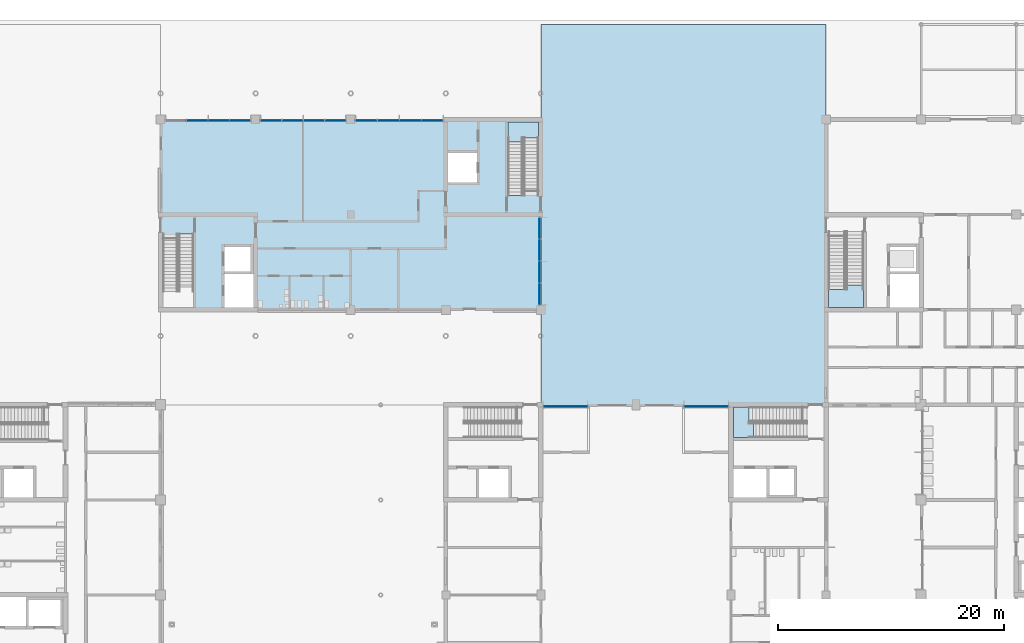
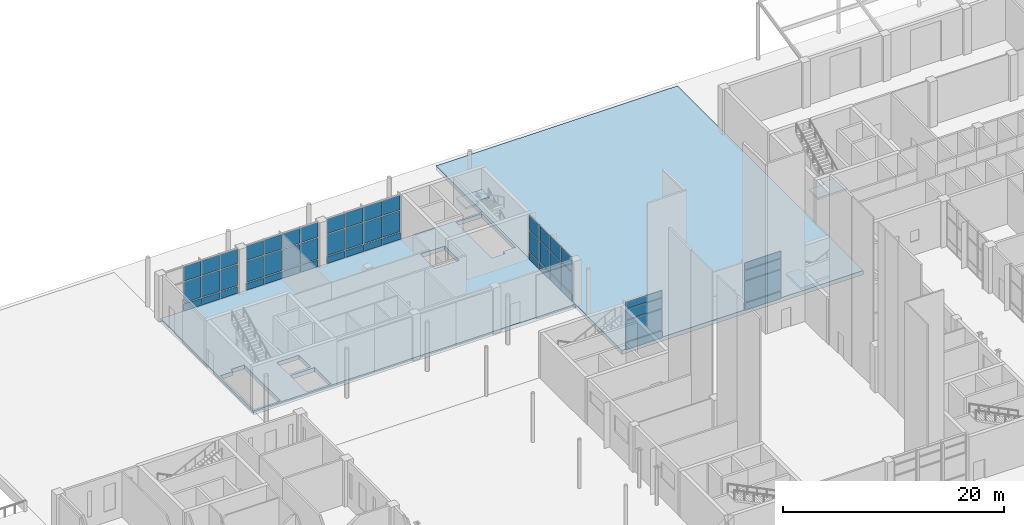
# One storey, part 29 of 76: 53 plates, 5 slabs, 9 elements without a shape of their own.
"""IFC4 building model written with IfcOpenShell, lengths in metres."""

from ifc_helpers import new_model, si_unit, direction, frame, origin, origin_2d, place, context, subcontext, project, spatial, polyline, rectangle, outline, extrude, material, layer, layer_set, type_object, element, aggregate, save


model = new_model("IFC4")

# Units and contexts
model_context = context("Model", 3, precision=1e-05, world=origin(), true_north=direction((0.0, 1.0)))
body_context = subcontext(model_context, "Body", "Model", "MODEL_VIEW")
ifc_project = project(units=[si_unit("LENGTHUNIT", "METRE"), si_unit("AREAUNIT", "SQUARE_METRE"), si_unit("VOLUMEUNIT", "CUBIC_METRE"), si_unit("PLANEANGLEUNIT", "RADIAN"), si_unit("MASSUNIT", "GRAM", prefix="KILO")], contexts=[model_context])

# Site, building, storey
site_placement = place(None, origin())
site = spatial("IfcSite", under=ifc_project, at=site_placement, CompositionType="ELEMENT")
building_placement = place(site_placement, origin())
building = spatial("IfcBuilding", under=site, at=building_placement, Name="Hlaing Beacon Police Headquarters", CompositionType="ELEMENT")
storey_placement = place(building_placement, origin())
storey = spatial("IfcBuildingStorey", under=building, at=storey_placement, Name="L00", CompositionType="ELEMENT", Elevation=0.0)

# Curtain wall, plates
ifc_material_1 = material(Name="Aluminium frame with solar control glazing", Category="aluminium")
curtain_wall_type_1 = type_object("IfcCurtainWallType", Name="Unitised curtain wall 7.80 x 5.05", PredefinedType="NOTDEFINED", material=ifc_material_1)
curtain_wall_1_placement = place(storey_placement, origin())
curtain_wall_1 = element("IfcCurtainWall", 1, at=curtain_wall_1_placement, inside=storey, type_object=curtain_wall_type_1, Name="ENV-CW-L00-N023", PredefinedType="NOTDEFINED")
ifc_material_2 = material(Name="Solar control glazing", Category="glass")
ifc_layer_1 = layer(ifc_material_2, 0.031982421875)
ifc_layer_set_1 = layer_set([ifc_layer_1], Name="Solar control glazing")
plate_type_1 = type_object("IfcPlateType", Name="Clear glazing panel 32", PredefinedType="CURTAIN_PANEL", material=ifc_layer_set_1)
plate_1_placement = place(storey_placement, frame((57.610107421875, 92.300048828125, 3.349853515625), z_axis=(0.0, 0.0, 1.0), x_axis=(-1.0, 0.0, 0.0)))
plate_1 = element("IfcPlate", 2, at=plate_1_placement, type_object=plate_type_1, Name="CW-L00-N023 panel 1.3", PredefinedType="CURTAIN_PANEL", context=body_context, shape_type="SweptSolid", body=[
    extrude(rectangle(XDim=1.860107421875, YDim=0.031982421875, at=origin_2d()), origin(), (0.0, 0.0, 1.0), 1.60009765625),
])
plate_2_placement = place(storey_placement, frame((55.675048828125, 92.300048828125, 3.349853515625), z_axis=(0.0, 0.0, 1.0), x_axis=(-1.0, 0.0, 0.0)))
plate_2 = element("IfcPlate", 3, at=plate_2_placement, type_object=plate_type_1, Name="CW-L00-N023 panel 2.3", PredefinedType="CURTAIN_PANEL", context=body_context, shape_type="SweptSolid", body=[
    extrude(rectangle(XDim=1.889892578125, YDim=0.031982421875, at=origin_2d()), origin(), (0.0, 0.0, 1.0), 1.60009765625),
])
plate_3_placement = place(storey_placement, frame((53.72509765625, 92.300048828125, 3.349853515625), z_axis=(0.0, 0.0, 1.0), x_axis=(-1.0, 0.0, 0.0)))
plate_3 = element("IfcPlate", 4, at=plate_3_placement, type_object=plate_type_1, Name="CW-L00-N023 panel 3.3", PredefinedType="CURTAIN_PANEL", context=body_context, shape_type="SweptSolid", body=[
    extrude(rectangle(XDim=1.889892578125, YDim=0.031982421875, at=origin_2d()), origin(), (0.0, 0.0, 1.0), 1.60009765625),
])
plate_4_placement = place(storey_placement, frame((51.7900390625, 92.300048828125, 3.349853515625), z_axis=(0.0, 0.0, 1.0), x_axis=(-1.0, 0.0, 0.0)))
plate_4 = element("IfcPlate", 5, at=plate_4_placement, type_object=plate_type_1, Name="CW-L00-N023 panel 4.3", PredefinedType="CURTAIN_PANEL", context=body_context, shape_type="SweptSolid", body=[
    extrude(rectangle(XDim=1.860107421875, YDim=0.031982421875, at=origin_2d()), origin(), (0.0, 0.0, 1.0), 1.60009765625),
])

ifc_material_3 = material(Name="Aluminium frame with solar control glazing", Category="aluminium")
curtain_wall_type_2 = type_object("IfcCurtainWallType", Name="Unitised curtain wall 7.60 x 5.05", PredefinedType="NOTDEFINED", material=ifc_material_3)
curtain_wall_2_placement = place(storey_placement, origin())
curtain_wall_2 = element("IfcCurtainWall", 6, at=curtain_wall_2_placement, inside=storey, type_object=curtain_wall_type_2, Name="ENV-CW-L00-N024", PredefinedType="NOTDEFINED")
plate_5_placement = place(storey_placement, frame((49.034912109375, 92.300048828125, 3.349853515625), z_axis=(0.0, 0.0, 1.0), x_axis=(-1.0, 0.0, 0.0)))
plate_5 = element("IfcPlate", 7, at=plate_5_placement, type_object=plate_type_1, Name="CW-L00-N024 panel 1.3", PredefinedType="CURTAIN_PANEL", context=body_context, shape_type="SweptSolid", body=[
    extrude(rectangle(XDim=1.81005859375, YDim=0.031982421875, at=origin_2d()), origin(), (0.0, 0.0, 1.0), 1.60009765625),
])
plate_6_placement = place(storey_placement, frame((47.14990234375, 92.300048828125, 3.349853515625), z_axis=(0.0, 0.0, 1.0), x_axis=(-1.0, 0.0, 0.0)))
plate_6 = element("IfcPlate", 8, at=plate_6_placement, type_object=plate_type_1, Name="CW-L00-N024 panel 2.3", PredefinedType="CURTAIN_PANEL", context=body_context, shape_type="SweptSolid", body=[
    extrude(rectangle(XDim=1.840087890625, YDim=0.031982421875, at=origin_2d()), origin(), (0.0, 0.0, 1.0), 1.60009765625),
])
plate_7_placement = place(storey_placement, frame((45.25, 92.300048828125, 3.349853515625), z_axis=(0.0, 0.0, 1.0), x_axis=(-1.0, 0.0, 0.0)))
plate_7 = element("IfcPlate", 9, at=plate_7_placement, type_object=plate_type_1, Name="CW-L00-N024 panel 3.3", PredefinedType="CURTAIN_PANEL", context=body_context, shape_type="SweptSolid", body=[
    extrude(rectangle(XDim=1.840087890625, YDim=0.031982421875, at=origin_2d()), origin(), (0.0, 0.0, 1.0), 1.60009765625),
])
plate_8_placement = place(storey_placement, frame((43.364990234375, 92.300048828125, 3.349853515625), z_axis=(0.0, 0.0, 1.0), x_axis=(-1.0, 0.0, 0.0)))
plate_8 = element("IfcPlate", 10, at=plate_8_placement, type_object=plate_type_1, Name="CW-L00-N024 panel 4.3", PredefinedType="CURTAIN_PANEL", context=body_context, shape_type="SweptSolid", body=[
    extrude(rectangle(XDim=1.81005859375, YDim=0.031982421875, at=origin_2d()), origin(), (0.0, 0.0, 1.0), 1.60009765625),
])

curtain_wall_3_placement = place(storey_placement, origin())
curtain_wall_3 = element("IfcCurtainWall", 11, at=curtain_wall_3_placement, inside=storey, type_object=curtain_wall_type_2, Name="ENV-CW-L00-N025", PredefinedType="NOTDEFINED")
plate_9_placement = place(storey_placement, frame((40.635009765625, 92.300048828125, 3.349853515625), z_axis=(0.0, 0.0, 1.0), x_axis=(-1.0, 0.0, 0.0)))
plate_9 = element("IfcPlate", 12, at=plate_9_placement, type_object=plate_type_1, Name="CW-L00-N025 panel 1.3", PredefinedType="CURTAIN_PANEL", context=body_context, shape_type="SweptSolid", body=[
    extrude(rectangle(XDim=1.81005859375, YDim=0.031982421875, at=origin_2d()), origin(), (0.0, 0.0, 1.0), 1.60009765625),
])
plate_10_placement = place(storey_placement, frame((38.75, 92.300048828125, 3.349853515625), z_axis=(0.0, 0.0, 1.0), x_axis=(-1.0, 0.0, 0.0)))
plate_10 = element("IfcPlate", 13, at=plate_10_placement, type_object=plate_type_1, Name="CW-L00-N025 panel 2.3", PredefinedType="CURTAIN_PANEL", context=body_context, shape_type="SweptSolid", body=[
    extrude(rectangle(XDim=1.840087890625, YDim=0.031982421875, at=origin_2d()), origin(), (0.0, 0.0, 1.0), 1.60009765625),
])
plate_11_placement = place(storey_placement, frame((36.85009765625, 92.300048828125, 3.349853515625), z_axis=(0.0, 0.0, 1.0), x_axis=(-1.0, 0.0, 0.0)))
plate_11 = element("IfcPlate", 14, at=plate_11_placement, type_object=plate_type_1, Name="CW-L00-N025 panel 3.3", PredefinedType="CURTAIN_PANEL", context=body_context, shape_type="SweptSolid", body=[
    extrude(rectangle(XDim=1.840087890625, YDim=0.031982421875, at=origin_2d()), origin(), (0.0, 0.0, 1.0), 1.60009765625),
])

curtain_wall_4_placement = place(storey_placement, origin())
curtain_wall_4 = element("IfcCurtainWall", 15, at=curtain_wall_4_placement, inside=storey, type_object=curtain_wall_type_1, Name="ENV-CW-L00-E026", PredefinedType="NOTDEFINED")
plate_12_placement = place(storey_placement, frame((67.10009765625, 76.989990234375, 3.349853515625), z_axis=(0.0, 0.0, 1.0), x_axis=(0.0, 1.0, 0.0)))
plate_12 = element("IfcPlate", 16, at=plate_12_placement, type_object=plate_type_1, Name="CW-L00-E026 panel 1.3", PredefinedType="CURTAIN_PANEL", context=body_context, shape_type="SweptSolid", body=[
    extrude(rectangle(XDim=1.860107421875, YDim=0.031982421875, at=origin_2d()), origin(), (0.0, 0.0, 1.0), 1.60009765625),
])
plate_13_placement = place(storey_placement, frame((67.10009765625, 78.925048828125, 3.349853515625), z_axis=(0.0, 0.0, 1.0), x_axis=(0.0, 1.0, 0.0)))
plate_13 = element("IfcPlate", 17, at=plate_13_placement, type_object=plate_type_1, Name="CW-L00-E026 panel 2.3", PredefinedType="CURTAIN_PANEL", context=body_context, shape_type="SweptSolid", body=[
    extrude(rectangle(XDim=1.889892578125, YDim=0.031982421875, at=origin_2d()), origin(), (0.0, 0.0, 1.0), 1.60009765625),
])
plate_14_placement = place(storey_placement, frame((67.10009765625, 80.875, 3.349853515625), z_axis=(0.0, 0.0, 1.0), x_axis=(0.0, 1.0, 0.0)))
plate_14 = element("IfcPlate", 18, at=plate_14_placement, type_object=plate_type_1, Name="CW-L00-E026 panel 3.3", PredefinedType="CURTAIN_PANEL", context=body_context, shape_type="SweptSolid", body=[
    extrude(rectangle(XDim=1.889892578125, YDim=0.031982421875, at=origin_2d()), origin(), (0.0, 0.0, 1.0), 1.60009765625),
])
plate_15_placement = place(storey_placement, frame((67.10009765625, 82.81005859375, 3.349853515625), z_axis=(0.0, 0.0, 1.0), x_axis=(0.0, 1.0, 0.0)))
plate_15 = element("IfcPlate", 19, at=plate_15_placement, type_object=plate_type_1, Name="CW-L00-E026 panel 4.3", PredefinedType="CURTAIN_PANEL", context=body_context, shape_type="SweptSolid", body=[
    extrude(rectangle(XDim=1.860107421875, YDim=0.031982421875, at=origin_2d()), origin(), (0.0, 0.0, 1.0), 1.60009765625),
])

# Plate
ifc_material_4 = material(Name="Solar control glazing", Category="glass")
ifc_layer_2 = layer(ifc_material_4, 0.0439453125)
ifc_layer_set_2 = layer_set([ifc_layer_2], Name="Solar control glazing")
plate_type_2 = type_object("IfcPlateType", Name="Clear glazing panel 44", PredefinedType="CURTAIN_PANEL", material=ifc_layer_set_2)
plate_16_placement = place(storey_placement, frame((57.610107421875, 92.300048828125, 0.9501953125), z_axis=(0.0, 0.0, 1.0), x_axis=(-1.0, 0.0, 0.0)))
plate_16 = element("IfcPlate", 20, at=plate_16_placement, type_object=plate_type_2, Name="CW-L00-N023 panel 1.2", PredefinedType="CURTAIN_PANEL", context=body_context, shape_type="SweptSolid", body=[
    extrude(rectangle(XDim=1.860107421875, YDim=0.0439453125, at=origin_2d()), origin(), (0.0, 0.0, 1.0), 2.300048828125),
])

plate_17_placement = place(storey_placement, frame((55.675048828125, 92.300048828125, 0.9501953125), z_axis=(0.0, 0.0, 1.0), x_axis=(-1.0, 0.0, 0.0)))
plate_17 = element("IfcPlate", 21, at=plate_17_placement, type_object=plate_type_2, Name="CW-L00-N023 panel 2.2", PredefinedType="CURTAIN_PANEL", context=body_context, shape_type="SweptSolid", body=[
    extrude(rectangle(XDim=1.889892578125, YDim=0.0439453125, at=origin_2d()), origin(), (0.0, 0.0, 1.0), 2.300048828125),
])

plate_18_placement = place(storey_placement, frame((53.72509765625, 92.300048828125, 0.9501953125), z_axis=(0.0, 0.0, 1.0), x_axis=(-1.0, 0.0, 0.0)))
plate_18 = element("IfcPlate", 22, at=plate_18_placement, type_object=plate_type_2, Name="CW-L00-N023 panel 3.2", PredefinedType="CURTAIN_PANEL", context=body_context, shape_type="SweptSolid", body=[
    extrude(rectangle(XDim=1.889892578125, YDim=0.0439453125, at=origin_2d()), origin(), (0.0, 0.0, 1.0), 2.300048828125),
])

plate_19_placement = place(storey_placement, frame((51.7900390625, 92.300048828125, 0.9501953125), z_axis=(0.0, 0.0, 1.0), x_axis=(-1.0, 0.0, 0.0)))
plate_19 = element("IfcPlate", 23, at=plate_19_placement, type_object=plate_type_2, Name="CW-L00-N023 panel 4.2", PredefinedType="CURTAIN_PANEL", context=body_context, shape_type="SweptSolid", body=[
    extrude(rectangle(XDim=1.860107421875, YDim=0.0439453125, at=origin_2d()), origin(), (0.0, 0.0, 1.0), 2.300048828125),
])

plate_20_placement = place(storey_placement, frame((49.034912109375, 92.300048828125, 0.9501953125), z_axis=(0.0, 0.0, 1.0), x_axis=(-1.0, 0.0, 0.0)))
plate_20 = element("IfcPlate", 24, at=plate_20_placement, type_object=plate_type_2, Name="CW-L00-N024 panel 1.2", PredefinedType="CURTAIN_PANEL", context=body_context, shape_type="SweptSolid", body=[
    extrude(rectangle(XDim=1.81005859375, YDim=0.0439453125, at=origin_2d()), origin(), (0.0, 0.0, 1.0), 2.300048828125),
])

plate_21_placement = place(storey_placement, frame((47.14990234375, 92.300048828125, 0.9501953125), z_axis=(0.0, 0.0, 1.0), x_axis=(-1.0, 0.0, 0.0)))
plate_21 = element("IfcPlate", 25, at=plate_21_placement, type_object=plate_type_2, Name="CW-L00-N024 panel 2.2", PredefinedType="CURTAIN_PANEL", context=body_context, shape_type="SweptSolid", body=[
    extrude(rectangle(XDim=1.840087890625, YDim=0.0439453125, at=origin_2d()), origin(), (0.0, 0.0, 1.0), 2.300048828125),
])

plate_22_placement = place(storey_placement, frame((45.25, 92.300048828125, 0.9501953125), z_axis=(0.0, 0.0, 1.0), x_axis=(-1.0, 0.0, 0.0)))
plate_22 = element("IfcPlate", 26, at=plate_22_placement, type_object=plate_type_2, Name="CW-L00-N024 panel 3.2", PredefinedType="CURTAIN_PANEL", context=body_context, shape_type="SweptSolid", body=[
    extrude(rectangle(XDim=1.840087890625, YDim=0.0439453125, at=origin_2d()), origin(), (0.0, 0.0, 1.0), 2.300048828125),
])

plate_23_placement = place(storey_placement, frame((43.364990234375, 92.300048828125, 0.9501953125), z_axis=(0.0, 0.0, 1.0), x_axis=(-1.0, 0.0, 0.0)))
plate_23 = element("IfcPlate", 27, at=plate_23_placement, type_object=plate_type_2, Name="CW-L00-N024 panel 4.2", PredefinedType="CURTAIN_PANEL", context=body_context, shape_type="SweptSolid", body=[
    extrude(rectangle(XDim=1.81005859375, YDim=0.0439453125, at=origin_2d()), origin(), (0.0, 0.0, 1.0), 2.300048828125),
])

plate_24_placement = place(storey_placement, frame((40.635009765625, 92.300048828125, 0.9501953125), z_axis=(0.0, 0.0, 1.0), x_axis=(-1.0, 0.0, 0.0)))
plate_24 = element("IfcPlate", 28, at=plate_24_placement, type_object=plate_type_2, Name="CW-L00-N025 panel 1.2", PredefinedType="CURTAIN_PANEL", context=body_context, shape_type="SweptSolid", body=[
    extrude(rectangle(XDim=1.81005859375, YDim=0.0439453125, at=origin_2d()), origin(), (0.0, 0.0, 1.0), 2.300048828125),
])

plate_25_placement = place(storey_placement, frame((38.75, 92.300048828125, 0.9501953125), z_axis=(0.0, 0.0, 1.0), x_axis=(-1.0, 0.0, 0.0)))
plate_25 = element("IfcPlate", 29, at=plate_25_placement, type_object=plate_type_2, Name="CW-L00-N025 panel 2.2", PredefinedType="CURTAIN_PANEL", context=body_context, shape_type="SweptSolid", body=[
    extrude(rectangle(XDim=1.840087890625, YDim=0.0439453125, at=origin_2d()), origin(), (0.0, 0.0, 1.0), 2.300048828125),
])

plate_26_placement = place(storey_placement, frame((36.85009765625, 92.300048828125, 0.9501953125), z_axis=(0.0, 0.0, 1.0), x_axis=(-1.0, 0.0, 0.0)))
plate_26 = element("IfcPlate", 30, at=plate_26_placement, type_object=plate_type_2, Name="CW-L00-N025 panel 3.2", PredefinedType="CURTAIN_PANEL", context=body_context, shape_type="SweptSolid", body=[
    extrude(rectangle(XDim=1.840087890625, YDim=0.0439453125, at=origin_2d()), origin(), (0.0, 0.0, 1.0), 2.300048828125),
])

plate_27_placement = place(storey_placement, frame((67.10009765625, 76.989990234375, 0.9501953125), z_axis=(0.0, 0.0, 1.0), x_axis=(0.0, 1.0, 0.0)))
plate_27 = element("IfcPlate", 31, at=plate_27_placement, type_object=plate_type_2, Name="CW-L00-E026 panel 1.2", PredefinedType="CURTAIN_PANEL", context=body_context, shape_type="SweptSolid", body=[
    extrude(rectangle(XDim=1.860107421875, YDim=0.0439453125, at=origin_2d()), origin(), (0.0, 0.0, 1.0), 2.300048828125),
])

plate_28_placement = place(storey_placement, frame((67.10009765625, 78.925048828125, 0.9501953125), z_axis=(0.0, 0.0, 1.0), x_axis=(0.0, 1.0, 0.0)))
plate_28 = element("IfcPlate", 32, at=plate_28_placement, type_object=plate_type_2, Name="CW-L00-E026 panel 2.2", PredefinedType="CURTAIN_PANEL", context=body_context, shape_type="SweptSolid", body=[
    extrude(rectangle(XDim=1.889892578125, YDim=0.0439453125, at=origin_2d()), origin(), (0.0, 0.0, 1.0), 2.300048828125),
])

plate_29_placement = place(storey_placement, frame((67.10009765625, 80.875, 0.9501953125), z_axis=(0.0, 0.0, 1.0), x_axis=(0.0, 1.0, 0.0)))
plate_29 = element("IfcPlate", 33, at=plate_29_placement, type_object=plate_type_2, Name="CW-L00-E026 panel 3.2", PredefinedType="CURTAIN_PANEL", context=body_context, shape_type="SweptSolid", body=[
    extrude(rectangle(XDim=1.889892578125, YDim=0.0439453125, at=origin_2d()), origin(), (0.0, 0.0, 1.0), 2.300048828125),
])

plate_30_placement = place(storey_placement, frame((67.10009765625, 82.81005859375, 0.9501953125), z_axis=(0.0, 0.0, 1.0), x_axis=(0.0, 1.0, 0.0)))
plate_30 = element("IfcPlate", 34, at=plate_30_placement, type_object=plate_type_2, Name="CW-L00-E026 panel 4.2", PredefinedType="CURTAIN_PANEL", context=body_context, shape_type="SweptSolid", body=[
    extrude(rectangle(XDim=1.860107421875, YDim=0.0439453125, at=origin_2d()), origin(), (0.0, 0.0, 1.0), 2.300048828125),
])

# Slabs
ifc_material_5 = material(Name="Concrete C50/60", Category="concrete")
ifc_layer_3 = layer(ifc_material_5, 0.449951171875)
ifc_layer_set_3 = layer_set([ifc_layer_3], Name="Concrete C50/60")
slab_type_1 = type_object("IfcSlabType", Name="Deck slab 450", PredefinedType="FLOOR", material=ifc_layer_set_3)
slab_1_placement = place(storey_placement, frame((0.0, 0.0, -0.449951171875)))
element("IfcSlab", 35, at=slab_1_placement, inside=storey, type_object=slab_type_1, Name="STR-SLAB-L00-04", PredefinedType="FLOOR", context=body_context, shape_type="SweptSolid", body=[
    extrude(outline(polyline([(33.60009765625, 75.60009765625), (67.199951171875, 75.60009765625), (67.199951171875, 92.39990234375), (33.60009765625, 92.39990234375), (33.60009765625, 75.60009765625)]), holes=[polyline([(33.800048828125, 75.800048828125), (36.5, 75.800048828125), (36.5, 82.2900390625), (35.10009765625, 82.2900390625), (35.10009765625, 81.89990234375), (33.800048828125, 81.89990234375), (33.800048828125, 75.800048828125)]), polyline([(39.25, 75.800048828125), (41.800048828125, 75.800048828125), (41.800048828125, 78.75), (39.25, 78.75), (39.25, 75.800048828125)]), polyline([(39.25, 79.0), (41.550048828125, 79.0), (41.550048828125, 81.14990234375), (39.25, 81.14990234375), (39.25, 79.0)]), polyline([(59.0, 86.85009765625), (61.550048828125, 86.85009765625), (61.550048828125, 89.449951171875), (59.0, 89.449951171875), (59.0, 86.85009765625)]), polyline([(64.300048828125, 85.7099609375), (65.699951171875, 85.7099609375), (65.699951171875, 86.10009765625), (67.0, 86.10009765625), (67.0, 92.199951171875), (64.300048828125, 92.199951171875), (64.300048828125, 85.7099609375)])]), origin(), (0.0, 0.0, 1.0), 0.449951171875),
])
slab_2_placement = place(storey_placement, frame((0.0, 0.0, -0.449951171875)))
element("IfcSlab", 36, at=slab_2_placement, inside=storey, type_object=slab_type_1, Name="STR-SLAB-L00-08", PredefinedType="FLOOR", context=body_context, shape_type="SweptSolid", body=[
    extrude(outline(polyline([(67.199951171875, 67.199951171875), (92.39990234375, 67.199951171875), (92.39990234375, 100.800048828125), (67.199951171875, 100.800048828125), (67.199951171875, 67.199951171875)])), origin(), (0.0, 0.0, 1.0), 0.449951171875),
])

# Curtain wall, plate
ifc_material_6 = material(Name="Aluminium frame with solar control glazing", Category="aluminium")
curtain_wall_type_3 = type_object("IfcCurtainWallType", Name="Structural glazed gable wall 4.00 x 5.40", PredefinedType="NOTDEFINED", material=ifc_material_6)
curtain_wall_5_placement = place(storey_placement, origin())
curtain_wall_5 = element("IfcCurtainWall", 37, at=curtain_wall_5_placement, inside=storey, type_object=curtain_wall_type_3, Name="ENV-CW-L00-N020", PredefinedType="NOTDEFINED")
ifc_material_7 = material(Name="Insulated aluminium spandrel", Category="aluminium")
ifc_layer_4 = layer(ifc_material_7, 0.10009765625)
ifc_layer_set_4 = layer_set([ifc_layer_4], Name="Insulated aluminium spandrel")
plate_type_3 = type_object("IfcPlateType", Name="Insulated spandrel panel 100", PredefinedType="CURTAIN_PANEL", material=ifc_layer_set_4)
plate_31_placement = place(storey_placement, frame((81.800048828125, 67.050048828125, 0.10009765625), z_axis=(0.0, 0.0, 1.0), x_axis=(-1.0, 0.0, 0.0)))
plate_31 = element("IfcPlate", 38, at=plate_31_placement, type_object=plate_type_3, Name="CW-L00-N020 panel 1.1", PredefinedType="CURTAIN_PANEL", context=body_context, shape_type="SweptSolid", body=[
    extrude(rectangle(XDim=3.800048828125, YDim=0.10009765625, at=origin_2d()), origin(), (0.0, 0.0, 1.0), 0.75),
])

curtain_wall_6_placement = place(storey_placement, origin())
curtain_wall_6 = element("IfcCurtainWall", 39, at=curtain_wall_6_placement, inside=storey, type_object=curtain_wall_type_3, Name="ENV-CW-L00-N021", PredefinedType="NOTDEFINED")
plate_32_placement = place(storey_placement, frame((69.39990234375, 67.050048828125, 0.10009765625), z_axis=(0.0, 0.0, 1.0), x_axis=(-1.0, 0.0, 0.0)))
plate_32 = element("IfcPlate", 40, at=plate_32_placement, type_object=plate_type_3, Name="CW-L00-N021 panel 1.1", PredefinedType="CURTAIN_PANEL", context=body_context, shape_type="SweptSolid", body=[
    extrude(rectangle(XDim=3.800048828125, YDim=0.10009765625, at=origin_2d()), origin(), (0.0, 0.0, 1.0), 0.75),
])

# Plate
plate_33_placement = place(storey_placement, frame((57.610107421875, 92.300048828125, 0.10009765625), z_axis=(0.0, 0.0, 1.0), x_axis=(-1.0, 0.0, 0.0)))
plate_33 = element("IfcPlate", 41, at=plate_33_placement, type_object=plate_type_3, Name="CW-L00-N023 panel 1.1", PredefinedType="CURTAIN_PANEL", context=body_context, shape_type="SweptSolid", body=[
    extrude(rectangle(XDim=1.860107421875, YDim=0.10009765625, at=origin_2d()), origin(), (0.0, 0.0, 1.0), 0.75),
])

plate_34_placement = place(storey_placement, frame((55.675048828125, 92.300048828125, 0.10009765625), z_axis=(0.0, 0.0, 1.0), x_axis=(-1.0, 0.0, 0.0)))
plate_34 = element("IfcPlate", 42, at=plate_34_placement, type_object=plate_type_3, Name="CW-L00-N023 panel 2.1", PredefinedType="CURTAIN_PANEL", context=body_context, shape_type="SweptSolid", body=[
    extrude(rectangle(XDim=1.889892578125, YDim=0.10009765625, at=origin_2d()), origin(), (0.0, 0.0, 1.0), 0.75),
])

plate_35_placement = place(storey_placement, frame((53.72509765625, 92.300048828125, 0.10009765625), z_axis=(0.0, 0.0, 1.0), x_axis=(-1.0, 0.0, 0.0)))
plate_35 = element("IfcPlate", 43, at=plate_35_placement, type_object=plate_type_3, Name="CW-L00-N023 panel 3.1", PredefinedType="CURTAIN_PANEL", context=body_context, shape_type="SweptSolid", body=[
    extrude(rectangle(XDim=1.889892578125, YDim=0.10009765625, at=origin_2d()), origin(), (0.0, 0.0, 1.0), 0.75),
])

plate_36_placement = place(storey_placement, frame((51.7900390625, 92.300048828125, 0.10009765625), z_axis=(0.0, 0.0, 1.0), x_axis=(-1.0, 0.0, 0.0)))
plate_36 = element("IfcPlate", 44, at=plate_36_placement, type_object=plate_type_3, Name="CW-L00-N023 panel 4.1", PredefinedType="CURTAIN_PANEL", context=body_context, shape_type="SweptSolid", body=[
    extrude(rectangle(XDim=1.860107421875, YDim=0.10009765625, at=origin_2d()), origin(), (0.0, 0.0, 1.0), 0.75),
])

aggregate(curtain_wall_1, [plate_33, plate_16, plate_1, plate_34, plate_17, plate_2, plate_35, plate_18, plate_3, plate_36, plate_19, plate_4])

plate_37_placement = place(storey_placement, frame((49.034912109375, 92.300048828125, 0.10009765625), z_axis=(0.0, 0.0, 1.0), x_axis=(-1.0, 0.0, 0.0)))
plate_37 = element("IfcPlate", 45, at=plate_37_placement, type_object=plate_type_3, Name="CW-L00-N024 panel 1.1", PredefinedType="CURTAIN_PANEL", context=body_context, shape_type="SweptSolid", body=[
    extrude(rectangle(XDim=1.81005859375, YDim=0.10009765625, at=origin_2d()), origin(), (0.0, 0.0, 1.0), 0.75),
])

plate_38_placement = place(storey_placement, frame((47.14990234375, 92.300048828125, 0.10009765625), z_axis=(0.0, 0.0, 1.0), x_axis=(-1.0, 0.0, 0.0)))
plate_38 = element("IfcPlate", 46, at=plate_38_placement, type_object=plate_type_3, Name="CW-L00-N024 panel 2.1", PredefinedType="CURTAIN_PANEL", context=body_context, shape_type="SweptSolid", body=[
    extrude(rectangle(XDim=1.840087890625, YDim=0.10009765625, at=origin_2d()), origin(), (0.0, 0.0, 1.0), 0.75),
])

plate_39_placement = place(storey_placement, frame((45.25, 92.300048828125, 0.10009765625), z_axis=(0.0, 0.0, 1.0), x_axis=(-1.0, 0.0, 0.0)))
plate_39 = element("IfcPlate", 47, at=plate_39_placement, type_object=plate_type_3, Name="CW-L00-N024 panel 3.1", PredefinedType="CURTAIN_PANEL", context=body_context, shape_type="SweptSolid", body=[
    extrude(rectangle(XDim=1.840087890625, YDim=0.10009765625, at=origin_2d()), origin(), (0.0, 0.0, 1.0), 0.75),
])

plate_40_placement = place(storey_placement, frame((43.364990234375, 92.300048828125, 0.10009765625), z_axis=(0.0, 0.0, 1.0), x_axis=(-1.0, 0.0, 0.0)))
plate_40 = element("IfcPlate", 48, at=plate_40_placement, type_object=plate_type_3, Name="CW-L00-N024 panel 4.1", PredefinedType="CURTAIN_PANEL", context=body_context, shape_type="SweptSolid", body=[
    extrude(rectangle(XDim=1.81005859375, YDim=0.10009765625, at=origin_2d()), origin(), (0.0, 0.0, 1.0), 0.75),
])

aggregate(curtain_wall_2, [plate_37, plate_20, plate_5, plate_38, plate_21, plate_6, plate_39, plate_22, plate_7, plate_40, plate_23, plate_8])

plate_41_placement = place(storey_placement, frame((40.635009765625, 92.300048828125, 0.10009765625), z_axis=(0.0, 0.0, 1.0), x_axis=(-1.0, 0.0, 0.0)))
plate_41 = element("IfcPlate", 49, at=plate_41_placement, type_object=plate_type_3, Name="CW-L00-N025 panel 1.1", PredefinedType="CURTAIN_PANEL", context=body_context, shape_type="SweptSolid", body=[
    extrude(rectangle(XDim=1.81005859375, YDim=0.10009765625, at=origin_2d()), origin(), (0.0, 0.0, 1.0), 0.75),
])

plate_42_placement = place(storey_placement, frame((38.75, 92.300048828125, 0.10009765625), z_axis=(0.0, 0.0, 1.0), x_axis=(-1.0, 0.0, 0.0)))
plate_42 = element("IfcPlate", 50, at=plate_42_placement, type_object=plate_type_3, Name="CW-L00-N025 panel 2.1", PredefinedType="CURTAIN_PANEL", context=body_context, shape_type="SweptSolid", body=[
    extrude(rectangle(XDim=1.840087890625, YDim=0.10009765625, at=origin_2d()), origin(), (0.0, 0.0, 1.0), 0.75),
])

plate_43_placement = place(storey_placement, frame((36.85009765625, 92.300048828125, 0.10009765625), z_axis=(0.0, 0.0, 1.0), x_axis=(-1.0, 0.0, 0.0)))
plate_43 = element("IfcPlate", 51, at=plate_43_placement, type_object=plate_type_3, Name="CW-L00-N025 panel 3.1", PredefinedType="CURTAIN_PANEL", context=body_context, shape_type="SweptSolid", body=[
    extrude(rectangle(XDim=1.840087890625, YDim=0.10009765625, at=origin_2d()), origin(), (0.0, 0.0, 1.0), 0.75),
])

aggregate(curtain_wall_3, [plate_41, plate_24, plate_9, plate_42, plate_25, plate_10, plate_43, plate_26, plate_11])

plate_44_placement = place(storey_placement, frame((67.10009765625, 76.989990234375, 0.10009765625), z_axis=(0.0, 0.0, 1.0), x_axis=(0.0, 1.0, 0.0)))
plate_44 = element("IfcPlate", 52, at=plate_44_placement, type_object=plate_type_3, Name="CW-L00-E026 panel 1.1", PredefinedType="CURTAIN_PANEL", context=body_context, shape_type="SweptSolid", body=[
    extrude(rectangle(XDim=1.860107421875, YDim=0.10009765625, at=origin_2d()), origin(), (0.0, 0.0, 1.0), 0.75),
])

plate_45_placement = place(storey_placement, frame((67.10009765625, 78.925048828125, 0.10009765625), z_axis=(0.0, 0.0, 1.0), x_axis=(0.0, 1.0, 0.0)))
plate_45 = element("IfcPlate", 53, at=plate_45_placement, type_object=plate_type_3, Name="CW-L00-E026 panel 2.1", PredefinedType="CURTAIN_PANEL", context=body_context, shape_type="SweptSolid", body=[
    extrude(rectangle(XDim=1.889892578125, YDim=0.10009765625, at=origin_2d()), origin(), (0.0, 0.0, 1.0), 0.75),
])

plate_46_placement = place(storey_placement, frame((67.10009765625, 80.875, 0.10009765625), z_axis=(0.0, 0.0, 1.0), x_axis=(0.0, 1.0, 0.0)))
plate_46 = element("IfcPlate", 54, at=plate_46_placement, type_object=plate_type_3, Name="CW-L00-E026 panel 3.1", PredefinedType="CURTAIN_PANEL", context=body_context, shape_type="SweptSolid", body=[
    extrude(rectangle(XDim=1.889892578125, YDim=0.10009765625, at=origin_2d()), origin(), (0.0, 0.0, 1.0), 0.75),
])

plate_47_placement = place(storey_placement, frame((67.10009765625, 82.81005859375, 0.10009765625), z_axis=(0.0, 0.0, 1.0), x_axis=(0.0, 1.0, 0.0)))
plate_47 = element("IfcPlate", 55, at=plate_47_placement, type_object=plate_type_3, Name="CW-L00-E026 panel 4.1", PredefinedType="CURTAIN_PANEL", context=body_context, shape_type="SweptSolid", body=[
    extrude(rectangle(XDim=1.860107421875, YDim=0.10009765625, at=origin_2d()), origin(), (0.0, 0.0, 1.0), 0.75),
])

aggregate(curtain_wall_4, [plate_44, plate_27, plate_12, plate_45, plate_28, plate_13, plate_46, plate_29, plate_14, plate_47, plate_30, plate_15])

ifc_material_8 = material(Name="Laminated solar control glazing", Category="glass")
ifc_layer_5 = layer(ifc_material_8, 0.031982421875)
ifc_layer_set_5 = layer_set([ifc_layer_5], Name="Laminated solar control glazing")
plate_type_4 = type_object("IfcPlateType", Name="Laminated glazing panel 32", PredefinedType="CURTAIN_PANEL", material=ifc_layer_set_5)
plate_48_placement = place(storey_placement, frame((81.800048828125, 67.050048828125, 4.550048828125), z_axis=(0.0, 0.0, 1.0), x_axis=(-1.0, 0.0, 0.0)))
plate_48 = element("IfcPlate", 56, at=plate_48_placement, type_object=plate_type_4, Name="CW-L00-N020 panel 1.4", PredefinedType="CURTAIN_PANEL", context=body_context, shape_type="SweptSolid", body=[
    extrude(rectangle(XDim=3.800048828125, YDim=0.031982421875, at=origin_2d()), origin(), (0.0, 0.0, 1.0), 0.75),
])

plate_49_placement = place(storey_placement, frame((69.39990234375, 67.050048828125, 4.550048828125), z_axis=(0.0, 0.0, 1.0), x_axis=(-1.0, 0.0, 0.0)))
plate_49 = element("IfcPlate", 57, at=plate_49_placement, type_object=plate_type_4, Name="CW-L00-N021 panel 1.4", PredefinedType="CURTAIN_PANEL", context=body_context, shape_type="SweptSolid", body=[
    extrude(rectangle(XDim=3.800048828125, YDim=0.031982421875, at=origin_2d()), origin(), (0.0, 0.0, 1.0), 0.75),
])

ifc_material_9 = material(Name="Laminated solar control glazing", Category="glass")
ifc_layer_6 = layer(ifc_material_9, 0.0439453125)
ifc_layer_set_6 = layer_set([ifc_layer_6], Name="Laminated solar control glazing")
plate_type_5 = type_object("IfcPlateType", Name="Laminated glazing panel 44", PredefinedType="CURTAIN_PANEL", material=ifc_layer_set_6)
plate_50_placement = place(storey_placement, frame((81.800048828125, 67.050048828125, 3.349853515625), z_axis=(0.0, 0.0, 1.0), x_axis=(-1.0, 0.0, 0.0)))
plate_50 = element("IfcPlate", 58, at=plate_50_placement, type_object=plate_type_5, Name="CW-L00-N020 panel 1.3", PredefinedType="CURTAIN_PANEL", context=body_context, shape_type="SweptSolid", body=[
    extrude(rectangle(XDim=3.800048828125, YDim=0.0439453125, at=origin_2d()), origin(), (0.0, 0.0, 1.0), 1.10009765625),
])

plate_51_placement = place(storey_placement, frame((69.39990234375, 67.050048828125, 3.349853515625), z_axis=(0.0, 0.0, 1.0), x_axis=(-1.0, 0.0, 0.0)))
plate_51 = element("IfcPlate", 59, at=plate_51_placement, type_object=plate_type_5, Name="CW-L00-N021 panel 1.3", PredefinedType="CURTAIN_PANEL", context=body_context, shape_type="SweptSolid", body=[
    extrude(rectangle(XDim=3.800048828125, YDim=0.0439453125, at=origin_2d()), origin(), (0.0, 0.0, 1.0), 1.10009765625),
])

ifc_material_10 = material(Name="Laminated impact resistant glazing", Category="glass")
ifc_layer_7 = layer(ifc_material_10, 0.052001953125)
ifc_layer_set_7 = layer_set([ifc_layer_7], Name="Laminated impact resistant glazing")
plate_type_6 = type_object("IfcPlateType", Name="Laminated impact glazing panel 52", PredefinedType="CURTAIN_PANEL", material=ifc_layer_set_7)
plate_52_placement = place(storey_placement, frame((81.800048828125, 67.050048828125, 0.9501953125), z_axis=(0.0, 0.0, 1.0), x_axis=(-1.0, 0.0, 0.0)))
plate_52 = element("IfcPlate", 60, at=plate_52_placement, type_object=plate_type_6, Name="CW-L00-N020 panel 1.2", PredefinedType="CURTAIN_PANEL", context=body_context, shape_type="SweptSolid", body=[
    extrude(rectangle(XDim=3.800048828125, YDim=0.052001953125, at=origin_2d()), origin(), (0.0, 0.0, 1.0), 2.300048828125),
])

aggregate(curtain_wall_5, [plate_31, plate_52, plate_50, plate_48])

plate_53_placement = place(storey_placement, frame((69.39990234375, 67.050048828125, 0.9501953125), z_axis=(0.0, 0.0, 1.0), x_axis=(-1.0, 0.0, 0.0)))
plate_53 = element("IfcPlate", 61, at=plate_53_placement, type_object=plate_type_6, Name="CW-L00-N021 panel 1.2", PredefinedType="CURTAIN_PANEL", context=body_context, shape_type="SweptSolid", body=[
    extrude(rectangle(XDim=3.800048828125, YDim=0.052001953125, at=origin_2d()), origin(), (0.0, 0.0, 1.0), 2.300048828125),
])

aggregate(curtain_wall_6, [plate_32, plate_53, plate_51, plate_49])

# Stair, slab
ifc_material_11 = material(Name="Concrete C40/50", Category="concrete")
stair_type_1 = type_object("IfcStairType", Name="Half-turn stair 1300 wide, 5400 rise", PredefinedType="HALF_TURN_STAIR", material=ifc_material_11)
stair_1_placement = place(storey_placement, origin())
stair_1 = element("IfcStair", 62, at=stair_1_placement, inside=storey, type_object=stair_type_1, Name="Stair ST-D", PredefinedType="HALF_TURN_STAIR")
ifc_material_12 = material(Name="Concrete C40/50", Category="concrete")
ifc_layer_8 = layer(ifc_material_12, 0.219970703125)
ifc_layer_set_8 = layer_set([ifc_layer_8], Name="Concrete C40/50")
slab_type_2 = type_object("IfcSlabType", Name="Stair landing 220", PredefinedType="LANDING", material=ifc_layer_set_8)
slab_3_placement = place(storey_placement, frame((0.0, 0.0, 2.47998046875)))
slab_3 = element("IfcSlab", 63, at=slab_3_placement, type_object=slab_type_2, Name="ST-D landing 1", PredefinedType="LANDING", context=body_context, shape_type="SweptSolid", body=[
    extrude(outline(polyline([(85.610107421875, 67.0), (84.199951171875, 67.0), (84.199951171875, 64.300048828125), (86.0, 64.300048828125), (86.0, 65.60009765625), (85.610107421875, 65.60009765625), (85.610107421875, 67.0)])), origin(), (0.0, 0.0, 1.0), 0.219970703125),
])
aggregate(stair_1, [slab_3])

stair_2_placement = place(storey_placement, origin())
stair_2 = element("IfcStair", 64, at=stair_2_placement, inside=storey, type_object=stair_type_1, Name="Stair ST-F", PredefinedType="HALF_TURN_STAIR")
slab_4_placement = place(storey_placement, frame((0.0, 0.0, 2.47998046875)))
slab_4 = element("IfcSlab", 65, at=slab_4_placement, type_object=slab_type_2, Name="ST-F landing 1", PredefinedType="LANDING", context=body_context, shape_type="SweptSolid", body=[
    extrude(outline(polyline([(67.0, 90.7900390625), (67.0, 92.199951171875), (64.300048828125, 92.199951171875), (64.300048828125, 90.39990234375), (65.60009765625, 90.39990234375), (65.60009765625, 90.7900390625), (67.0, 90.7900390625)])), origin(), (0.0, 0.0, 1.0), 0.219970703125),
])
aggregate(stair_2, [slab_4])

ifc_material_13 = material(Name="Concrete C40/50", Category="concrete")
stair_type_2 = type_object("IfcStairType", Name="Half-turn stair 1500 wide, 5400 rise", PredefinedType="HALF_TURN_STAIR", material=ifc_material_13)
stair_3_placement = place(storey_placement, origin())
stair_3 = element("IfcStair", 66, at=stair_3_placement, inside=storey, type_object=stair_type_2, Name="Stair ST-Q", PredefinedType="HALF_TURN_STAIR")
slab_5_placement = place(storey_placement, frame((0.0, 0.0, 2.47998046875)))
slab_5 = element("IfcSlab", 67, at=slab_5_placement, type_object=slab_type_2, Name="ST-Q landing 1", PredefinedType="LANDING", context=body_context, shape_type="SweptSolid", body=[
    extrude(outline(polyline([(92.60009765625, 77.409912109375), (92.60009765625, 75.800048828125), (95.699951171875, 75.800048828125), (95.699951171875, 77.800048828125), (94.199951171875, 77.800048828125), (94.199951171875, 77.409912109375), (92.60009765625, 77.409912109375)])), origin(), (0.0, 0.0, 1.0), 0.219970703125),
])
aggregate(stair_3, [slab_5])

save(model, "model.ifc")
